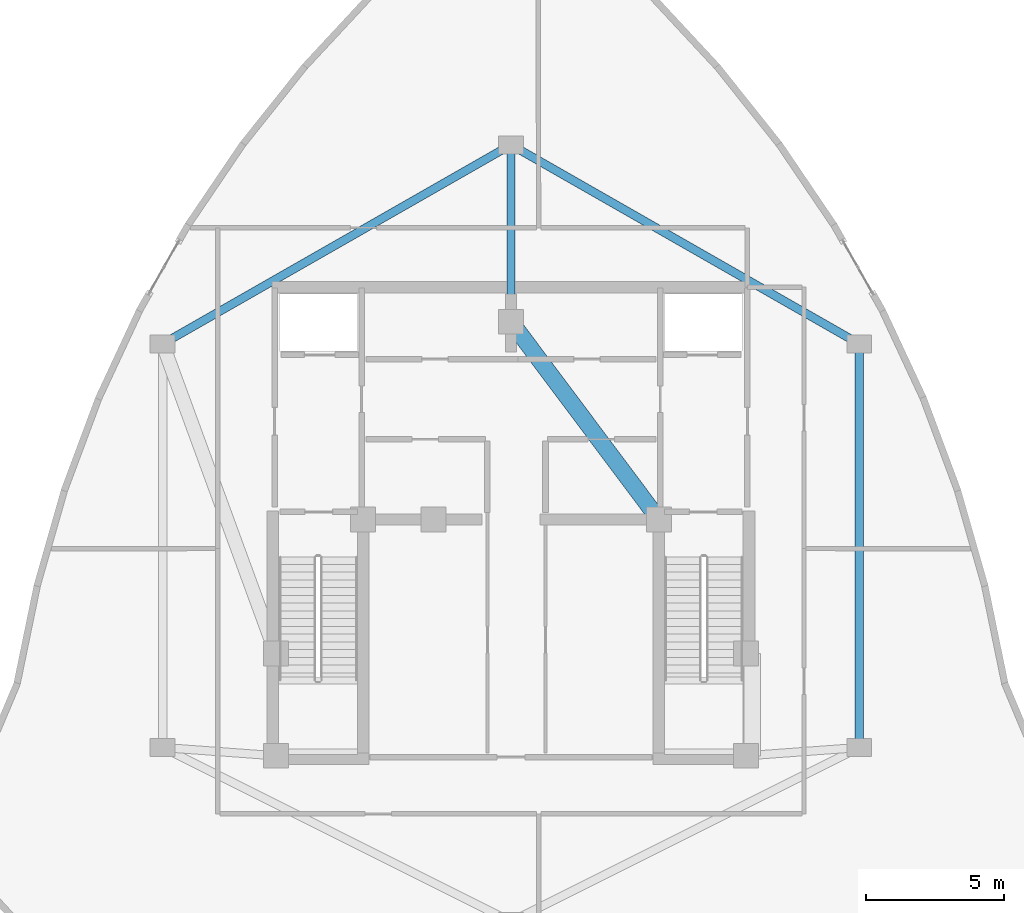
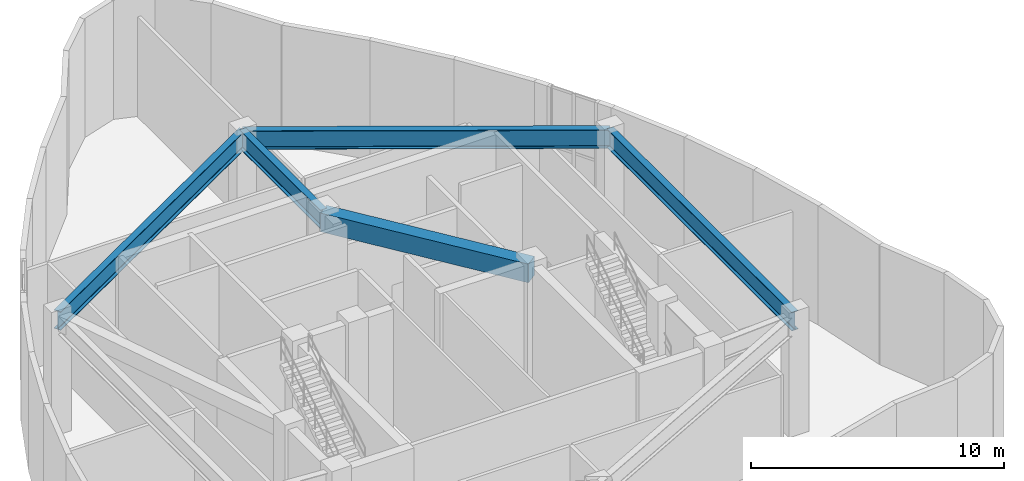
# One storey, part 5 of 10: 5 beams.
"""IFC4 building model written with IfcOpenShell, lengths in metres."""

from ifc_helpers import new_model, si_unit, direction, frame, origin, origin_2d, place, context, subcontext, project, spatial, rectangle, i_section, extrude, material, material_profile, profile_set, type_object, element, save


model = new_model("IFC4")

# Units and contexts
model_context = context("Model", 3, precision=1e-05, world=origin(), true_north=direction((0.0, 1.0)))
body_context = subcontext(model_context, "Body", "Model", "MODEL_VIEW")
ifc_project = project(units=[si_unit("LENGTHUNIT", "METRE"), si_unit("AREAUNIT", "SQUARE_METRE"), si_unit("VOLUMEUNIT", "CUBIC_METRE"), si_unit("PLANEANGLEUNIT", "RADIAN"), si_unit("MASSUNIT", "GRAM", prefix="KILO")], contexts=[model_context])

# Site, building, storey
site_placement = place(None, origin())
site = spatial("IfcSite", under=ifc_project, at=site_placement, CompositionType="ELEMENT")
building_placement = place(site_placement, origin())
building = spatial("IfcBuilding", under=site, at=building_placement, Name="Miruveldt Soraemaru", CompositionType="ELEMENT")
storey_placement = place(building_placement, frame((0.0, 0.0, 306.800048828125)))
storey = spatial("IfcBuildingStorey", under=building, at=storey_placement, Name="L81", CompositionType="ELEMENT", Elevation=306.800048828125)

# Beams
ifc_material_1 = material(Name="Concrete C60/75 (60 MPa)", Category="concrete")
ifc_material_profile_1 = material_profile(ifc_material_1, rectangle(XDim=0.60009765625, YDim=0.89990234375, at=origin_2d()), Name="Concrete C60/75 (60 MPa)", Category="concrete")
ifc_profile_set_1 = profile_set([ifc_material_profile_1], Name="Concrete C60/75 (60 MPa)")
beam_type_1 = type_object("IfcBeamType", Name="BM-RC-600x900", PredefinedType="BEAM", material=ifc_profile_set_1)
beam_1_placement = place(storey_placement, frame((49.35009765625, 44.050048828125, 5.2900390625), z_axis=(-0.599116023999, 0.800662219533, 0.0), x_axis=(-0.800662219533, -0.599116023999, 0.0)))
element("IfcBeam", 1, at=beam_1_placement, inside=storey, type_object=beam_type_1, Name="L81 Core Tie Beam 5", PredefinedType="BEAM", context=body_context, shape_type="SweptSolid", body=[
    extrude(rectangle(XDim=0.60009765625, YDim=0.89990234375, at=origin_2d()), origin(), (0.0, 0.0, 1.0), 8.929931640625),
])
ifc_material_2 = material(Name="Steel S460 (460 MPa)", Category="steel")
ifc_material_profile_2 = material_profile(ifc_material_2, i_section(OverallWidth=0.300048828125, OverallDepth=0.89990234375, WebThickness=0.01611328125, FlangeThickness=0.028076171875, FilletRadius=0.028076171875, at=origin_2d()), Name="Steel S460 (460 MPa)", Category="steel")
ifc_profile_set_2 = profile_set([ifc_material_profile_2], Name="Steel S460 (460 MPa)")
beam_type_2 = type_object("IfcBeamType", Name="BM-ST-H900", PredefinedType="BEAM", material=ifc_profile_set_2)
beam_2_placement = place(storey_placement, frame((44.0, 57.60009765625, 5.2900390625), z_axis=(0.868239001029, -0.496146185203, 0.0), x_axis=(0.496146185203, 0.868239001029, 0.0)))
element("IfcBeam", 2, at=beam_2_placement, inside=storey, type_object=beam_type_2, Name="L81 Inner Ring Girder 1", PredefinedType="BEAM", context=body_context, shape_type="SweptSolid", body=[
    extrude(i_section(OverallWidth=0.300048828125, OverallDepth=0.89990234375, WebThickness=0.01611328125, FlangeThickness=0.028076171875, FilletRadius=0.028076171875, at=origin_2d()), origin(), (0.0, 0.0, 1.0), 14.51220703125),
])
beam_3_placement = place(storey_placement, frame((44.0, 51.199951171875, 5.2900390625), z_axis=(0.0, 1.0, 0.0), x_axis=(-1.0, 0.0, 0.0)))
element("IfcBeam", 3, at=beam_3_placement, inside=storey, type_object=beam_type_2, Name="L81 Core-to-Inner Radial Girder 1", PredefinedType="BEAM", context=body_context, shape_type="SweptSolid", body=[
    extrude(i_section(OverallWidth=0.300048828125, OverallDepth=0.89990234375, WebThickness=0.01611328125, FlangeThickness=0.028076171875, FilletRadius=0.028076171875, at=origin_2d()), origin(), (0.0, 0.0, 1.0), 6.400146484375),
])
beam_4_placement = place(storey_placement, frame((56.60009765625, 50.39990234375, 5.2900390625), z_axis=(0.0, -1.0, 0.0), x_axis=(1.0, 0.0, 0.0)))
element("IfcBeam", 4, at=beam_4_placement, inside=storey, type_object=beam_type_2, Name="L81 Inner Ring Girder 2", PredefinedType="BEAM", context=body_context, shape_type="SweptSolid", body=[
    extrude(i_section(OverallWidth=0.300048828125, OverallDepth=0.89990234375, WebThickness=0.01611328125, FlangeThickness=0.028076171875, FilletRadius=0.028076171875, at=origin_2d()), origin(), (0.0, 0.0, 1.0), 14.599853515625),
])
beam_5_placement = place(storey_placement, frame((31.39990234375, 50.39990234375, 5.2900390625), z_axis=(0.868239001029, 0.496146185203, 0.0), x_axis=(-0.496146185203, 0.868239001029, 0.0)))
element("IfcBeam", 5, at=beam_5_placement, inside=storey, type_object=beam_type_2, Name="L81 Inner Ring Girder 6", PredefinedType="BEAM", context=body_context, shape_type="SweptSolid", body=[
    extrude(i_section(OverallWidth=0.300048828125, OverallDepth=0.89990234375, WebThickness=0.01611328125, FlangeThickness=0.028076171875, FilletRadius=0.028076171875, at=origin_2d()), origin(), (0.0, 0.0, 1.0), 14.51220703125),
])

save(model, "model.ifc")
